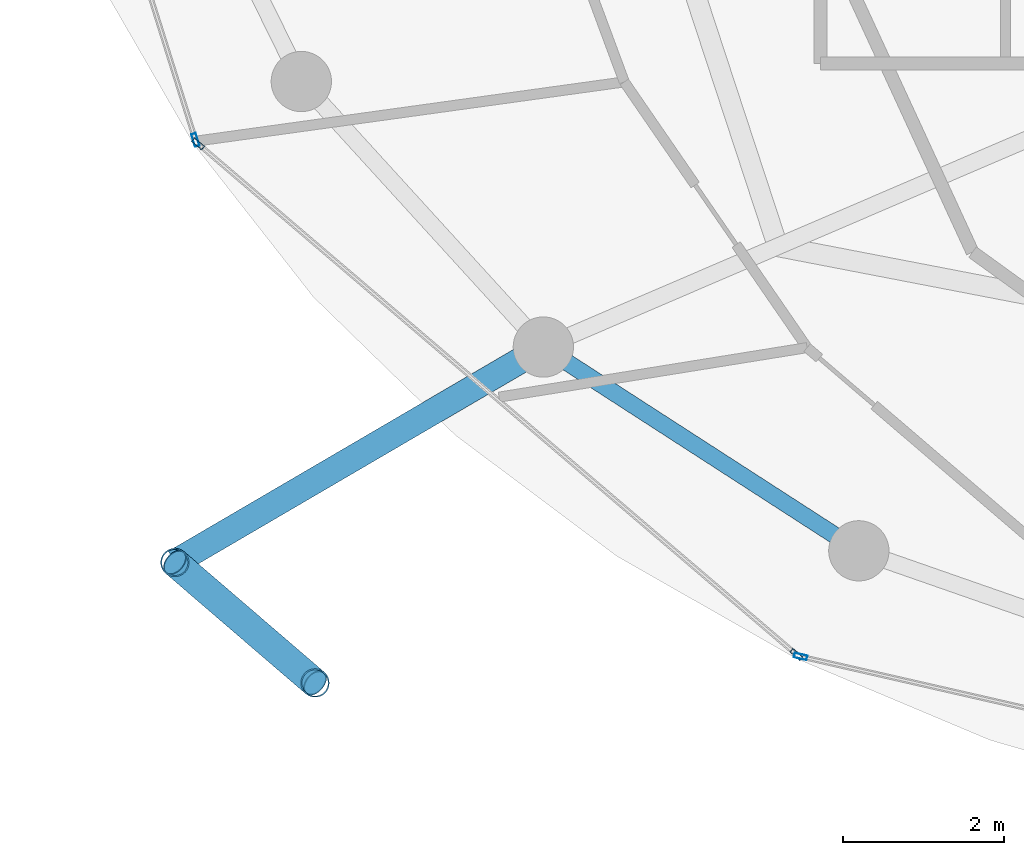
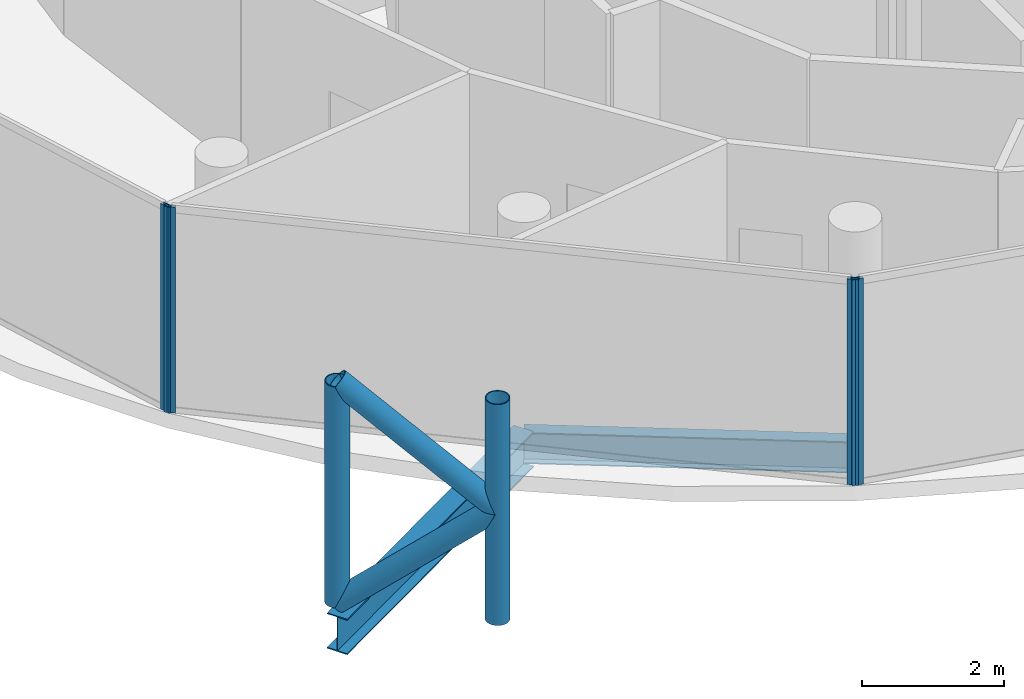
# One storey, part 2 of 24: 8 members, 2 beams, 3 elements without a shape of their own.
"""IFC4 building model written with IfcOpenShell, lengths in metres."""

from ifc_helpers import new_model, si_unit, direction, frame, origin, origin_2d, place, context, subcontext, project, spatial, hollow_rectangle, hollow_circle, i_section, extrude, material, layer, layer_set, material_profile, profile_set, type_object, element, aggregate, save


model = new_model("IFC4")

# Units and contexts
model_context = context("Model", 3, precision=1e-05, world=origin(), true_north=direction((0.0, 1.0)))
body_context = subcontext(model_context, "Body", "Model", "MODEL_VIEW")
ifc_project = project(units=[si_unit("LENGTHUNIT", "METRE"), si_unit("AREAUNIT", "SQUARE_METRE"), si_unit("VOLUMEUNIT", "CUBIC_METRE"), si_unit("PLANEANGLEUNIT", "RADIAN"), si_unit("MASSUNIT", "GRAM", prefix="KILO")], contexts=[model_context])

# Site, building, storey
site_placement = place(None, origin())
site = spatial("IfcSite", under=ifc_project, at=site_placement, CompositionType="ELEMENT")
building_placement = place(site_placement, origin())
building = spatial("IfcBuilding", under=site, at=building_placement, Name="Nuhasar Tower", CompositionType="ELEMENT")
storey_placement = place(building_placement, frame((0.0, 0.0, 267.0)))
storey = spatial("IfcBuildingStorey", under=building, at=storey_placement, Name="L66", CompositionType="ELEMENT", Elevation=267.0)

# Beams
ifc_material_1 = material(Name="Steel S355", Category="steel")
ifc_material_profile_1 = material_profile(ifc_material_1, i_section(OverallWidth=0.2099609375, OverallDepth=0.537109375, WebThickness=0.010986328125, FlangeThickness=0.017333984375, at=origin_2d()), Name="W21X68")
ifc_profile_set_1 = profile_set([ifc_material_profile_1], Name="Steel S355")
beam_type_1 = type_object("IfcBeamType", Name="BM-RING-W21X68", PredefinedType="SPANDREL", material=ifc_profile_set_1)
beam_1_placement = place(storey_placement, frame((25.60009765625, 15.52197265625, -0.529052734375), z_axis=(0.840025485934, -0.542546940809, 0.0), x_axis=(0.542546940809, 0.840025485934, 0.0)))
element("IfcBeam", 1, at=beam_1_placement, inside=storey, type_object=beam_type_1, Name="L66 Perimeter Ring Spandrel 16", PredefinedType="SPANDREL", context=body_context, shape_type="SweptSolid", body=[
    extrude(i_section(OverallWidth=0.2099609375, OverallDepth=0.537109375, WebThickness=0.010986328125, FlangeThickness=0.017333984375, at=origin_2d()), origin(), (0.0, 0.0, 1.0), 4.67236328125),
])
ifc_material_profile_2 = material_profile(ifc_material_1, i_section(OverallWidth=0.323974609375, OverallDepth=0.611083984375, WebThickness=0.0126953125, FlangeThickness=0.01904296875, at=origin_2d()), Name="W24X104")
ifc_profile_set_2 = profile_set([ifc_material_profile_2], Name="Steel S355")
beam_type_2 = type_object("IfcBeamType", Name="BM-TIE-W24X104", PredefinedType="BEAM", material=ifc_profile_set_2)
beam_2_placement = place(storey_placement, frame((25.60009765625, 15.52197265625, -0.56494140625), z_axis=(-0.863291554686, -0.504705549413, 0.0), x_axis=(0.504705549413, -0.863291554686, 0.0)))
element("IfcBeam", 2, at=beam_2_placement, inside=storey, type_object=beam_type_2, Name="L66 Exoskeleton Node Tie Beam 08", PredefinedType="BEAM", context=body_context, shape_type="SweptSolid", body=[
    extrude(i_section(OverallWidth=0.323974609375, OverallDepth=0.611083984375, WebThickness=0.0126953125, FlangeThickness=0.01904296875, at=origin_2d()), origin(), (0.0, 0.0, 1.0), 5.309814453125),
])

# Curtain wall, member
ifc_material_2 = material(Name="Aluminium 6063-T6", Category="aluminium")
ifc_layer = layer(ifc_material_2, 0.18994140625)
ifc_layer_set = layer_set([ifc_layer], Name="Aluminium 6063-T6")
curtain_wall_type = type_object("IfcCurtainWallType", Name="CW-Z4-PEN", PredefinedType="NOTDEFINED", material=ifc_layer_set)
curtain_wall_1_placement = place(storey_placement, origin())
curtain_wall_1 = element("IfcCurtainWall", 3, at=curtain_wall_1_placement, inside=storey, type_object=curtain_wall_type, Name="L66 Unitised Curtain Wall 07", PredefinedType="NOTDEFINED")
ifc_material_profile_3 = material_profile(ifc_material_2, hollow_rectangle(XDim=0.06005859375, YDim=0.1650390625, WallThickness=0.0048828125, at=origin_2d()), Name="CWM-5")
ifc_profile_set_3 = profile_set([ifc_material_profile_3], Name="Aluminium 6063-T6")
member_type_1 = type_object("IfcMemberType", Name="CW-MUL-S5", PredefinedType="MULLION", material=ifc_profile_set_3)
member_1_placement = place(storey_placement, frame((21.27197265625, 18.0986328125, 0.0), z_axis=(0.0, 0.0, 1.0), x_axis=(0.954078526601, 0.299556614146, 0.0)))
member_1 = element("IfcMember", 4, at=member_1_placement, type_object=member_type_1, Name="CW-Z4 mullion 2", PredefinedType="MULLION", context=body_context, shape_type="SweptSolid", body=[
    extrude(hollow_rectangle(XDim=0.06005859375, YDim=0.1650390625, WallThickness=0.0048828125, at=origin_2d()), origin(), (0.0, 0.0, 1.0), 3.5400390625),
])
aggregate(curtain_wall_1, [member_1])

# Curtain wall, members
curtain_wall_2_placement = place(storey_placement, origin())
curtain_wall_2 = element("IfcCurtainWall", 5, at=curtain_wall_2_placement, inside=storey, type_object=curtain_wall_type, Name="L66 Unitised Curtain Wall 08", PredefinedType="NOTDEFINED")
member_2_placement = place(storey_placement, frame((21.3037109375, 18.050537109375, 0.0), z_axis=(0.0, 0.0, 1.0), x_axis=(0.649141996205, 0.760667252327, 0.0)))
member_2 = element("IfcMember", 6, at=member_2_placement, type_object=member_type_1, Name="CW-Z4 mullion 1", PredefinedType="MULLION", context=body_context, shape_type="SweptSolid", body=[
    extrude(hollow_rectangle(XDim=0.06005859375, YDim=0.1650390625, WallThickness=0.0048828125, at=origin_2d()), origin(), (0.0, 0.0, 1.0), 3.5400390625),
])
member_3_placement = place(storey_placement, frame((28.7470703125, 11.698486328125, 0.0), z_axis=(0.0, 0.0, 1.0), x_axis=(0.649141996205, 0.760667252327, 0.0)))
member_3 = element("IfcMember", 7, at=member_3_placement, type_object=member_type_1, Name="CW-Z4 mullion 2", PredefinedType="MULLION", context=body_context, shape_type="SweptSolid", body=[
    extrude(hollow_rectangle(XDim=0.06005859375, YDim=0.1650390625, WallThickness=0.0048828125, at=origin_2d()), origin(), (0.0, 0.0, 1.0), 3.5400390625),
])
aggregate(curtain_wall_2, [member_2, member_3])

# Curtain wall, member
curtain_wall_3_placement = place(storey_placement, origin())
curtain_wall_3 = element("IfcCurtainWall", 8, at=curtain_wall_3_placement, inside=storey, type_object=curtain_wall_type, Name="L66 Unitised Curtain Wall 09", PredefinedType="NOTDEFINED")
member_4_placement = place(storey_placement, frame((28.79931640625, 11.67236328125, 0.0), z_axis=(0.0, 0.0, 1.0), x_axis=(0.222889487645, 0.97484371891, 0.0)))
member_4 = element("IfcMember", 9, at=member_4_placement, type_object=member_type_1, Name="CW-Z4 mullion 1", PredefinedType="MULLION", context=body_context, shape_type="SweptSolid", body=[
    extrude(hollow_rectangle(XDim=0.06005859375, YDim=0.1650390625, WallThickness=0.0048828125, at=origin_2d()), origin(), (0.0, 0.0, 1.0), 3.5400390625),
])
aggregate(curtain_wall_3, [member_4])

# Members
ifc_material_3 = material(Name="Steel S460", Category="steel")
ifc_material_profile_4 = material_profile(ifc_material_3, hollow_circle(Radius=0.177734375, WallThickness=0.015869140625, at=origin_2d()), Name="HSS355.6X15.9")
ifc_profile_set_4 = profile_set([ifc_material_profile_4], Name="Steel S460")
member_type_2 = type_object("IfcMemberType", Name="EXO-BRONZE-356", PredefinedType="BRACE", material=ifc_profile_set_4)
for number, where, z_axis, x_axis, name in (
    (10, (21.01611328125, 12.842041015625, 0.0), (0.0, 0.0, 1.0), (1.0, 0.0, 0.0), "L66 Exoskeleton Chord Column EC-08A"),
    (11, (22.760009765625, 11.343017578125, 0.0), (0.0, 0.0, 1.0), (1.0, 0.0, 0.0), "L66 Exoskeleton Chord Column EC-08B"),
):
    element("IfcMember", number, at=place(storey_placement, frame(where, z_axis=z_axis, x_axis=x_axis)), inside=storey, type_object=member_type_2, Name=name, PredefinedType="BRACE", context=body_context, shape_type="SweptSolid", body=[
        extrude(hollow_circle(Radius=0.177734375, WallThickness=0.015869140625, at=origin_2d()), origin(), (0.0, 0.0, 1.0), 3.800048828125),
    ])
member_5_placement = place(storey_placement, frame((21.01611328125, 12.842041015625, 0.0), z_axis=(0.584625223306, -0.502533791278, 0.636924749792), x_axis=(0.65185738425, 0.758341579104, 0.0)))
element("IfcMember", 12, at=member_5_placement, inside=storey, type_object=member_type_2, Name="L66 Bronze Diagrid Brace W1-08", PredefinedType="BRACE", context=body_context, shape_type="SweptSolid", body=[
    extrude(hollow_circle(Radius=0.177734375, WallThickness=0.015869140625, at=origin_2d()), origin(), (0.0, 0.0, 1.0), 2.98291015625),
])
member_6_placement = place(storey_placement, frame((22.760009765625, 11.343017578125, 1.89990234375), z_axis=(-0.584594747408, 0.50250759472, 0.636973389203), x_axis=(-0.65185738425, -0.758341579104, 0.0)))
element("IfcMember", 13, at=member_6_placement, inside=storey, type_object=member_type_2, Name="L66 Bronze Diagrid Brace W2-08", PredefinedType="BRACE", context=body_context, shape_type="SweptSolid", body=[
    extrude(hollow_circle(Radius=0.177734375, WallThickness=0.015869140625, at=origin_2d()), origin(), (0.0, 0.0, 1.0), 2.983154296875),
])

save(model, "model.ifc")
